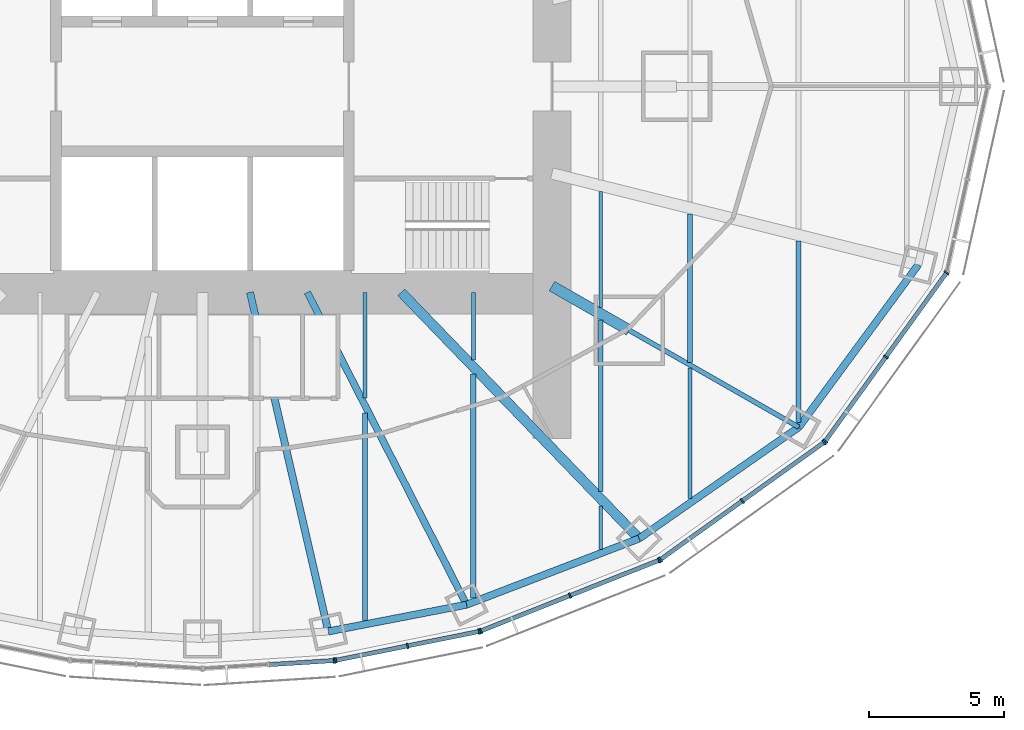
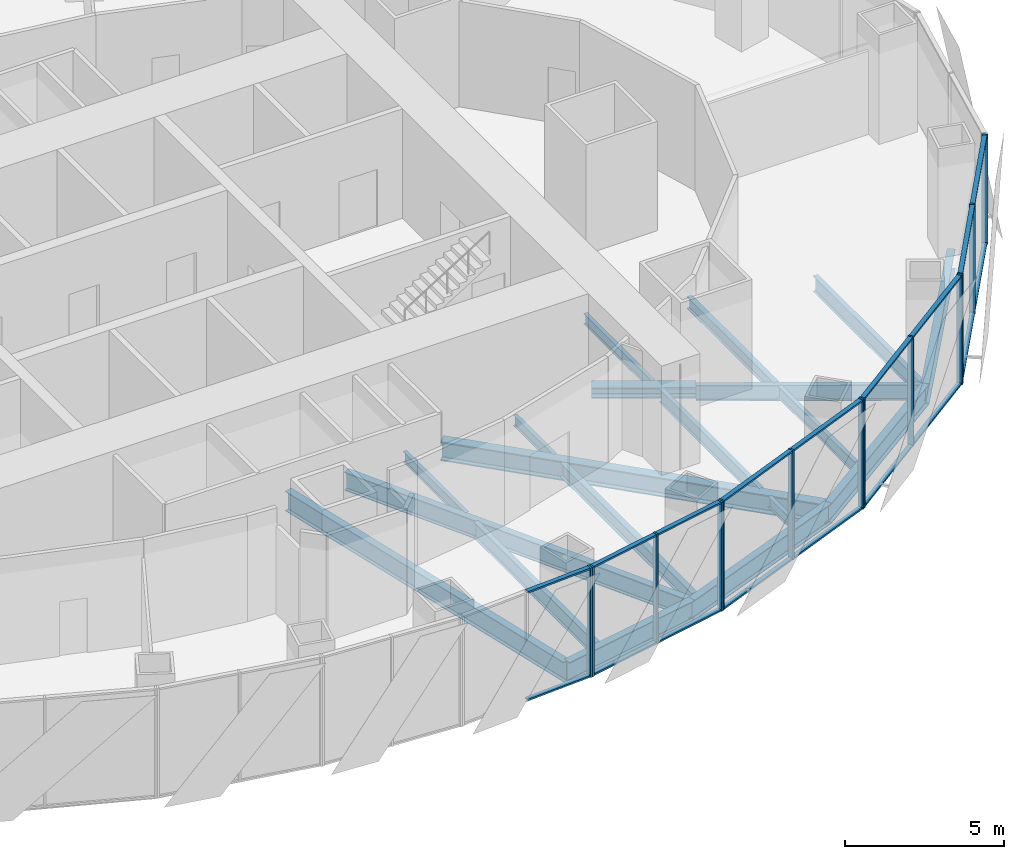
# One storey, part 5 of 18: 31 members, 19 beams, 5 elements without a shape of their own.
"""IFC4 building model written with IfcOpenShell, lengths in metres."""

from ifc_helpers import new_model, si_unit, direction, frame, origin, origin_2d, place, context, subcontext, project, spatial, rectangle, i_section, extrude, material, material_profile, profile_set, type_object, element, aggregate, save


model = new_model("IFC4")

# Units and contexts
model_context = context("Model", 3, precision=1e-05, world=origin(), true_north=direction((0.0, 1.0)))
body_context = subcontext(model_context, "Body", "Model", "MODEL_VIEW")
ifc_project = project(units=[si_unit("LENGTHUNIT", "METRE"), si_unit("AREAUNIT", "SQUARE_METRE"), si_unit("VOLUMEUNIT", "CUBIC_METRE"), si_unit("PLANEANGLEUNIT", "RADIAN"), si_unit("MASSUNIT", "GRAM", prefix="KILO")], contexts=[model_context])

# Site, building, storey
site_placement = place(None, origin())
site = spatial("IfcSite", under=ifc_project, at=site_placement, CompositionType="ELEMENT")
building_placement = place(site_placement, origin())
building = spatial("IfcBuilding", under=site, at=building_placement, Name="Lantaw Convention Tower", CompositionType="ELEMENT")
storey_placement = place(building_placement, frame((0.0, 0.0, 180.39990234375)))
storey = spatial("IfcBuildingStorey", under=building, at=storey_placement, Name="L42", CompositionType="ELEMENT", Elevation=180.39990234375)

# Beams
ifc_material_1 = material(Name="Steel ASTM A992", Category="steel")
ifc_material_profile_1 = material_profile(ifc_material_1, i_section(OverallWidth=0.2666015625, OverallDepth=0.76953125, WebThickness=0.015625, FlangeThickness=0.025390625, FilletRadius=0.0126953125, at=origin_2d()), Name="W30X132")
ifc_profile_set_1 = profile_set([ifc_material_profile_1], Name="Steel ASTM A992")
beam_type_1 = type_object("IfcBeamType", Name="Beam E W30X132", PredefinedType="SPANDREL", material=ifc_profile_set_1)
beam_1_placement = place(storey_placement, frame((4.64501953125, -20.1201171875, -0.53466796875), z_axis=(0.981796805654, 0.189934284446, 0.0), x_axis=(-0.189934284446, 0.981796805654, 0.0)))
element("IfcBeam", 1, at=beam_1_placement, inside=storey, type_object=beam_type_1, Name="Edge beam 20", PredefinedType="SPANDREL", context=body_context, shape_type="SweptSolid", body=[
    extrude(i_section(OverallWidth=0.2666015625, OverallDepth=0.76953125, WebThickness=0.015625, FlangeThickness=0.025390625, FilletRadius=0.0126953125, at=origin_2d()), origin(), (0.0, 0.0, 1.0), 5.1982421875),
])
beam_2_placement = place(storey_placement, frame((9.74853515625, -19.1328125, -0.53466796875), z_axis=(0.933691081977, 0.358079549033, 0.0), x_axis=(-0.358079549033, 0.933691081977, 0.0)))
element("IfcBeam", 2, at=beam_2_placement, inside=storey, type_object=beam_type_1, Name="Edge beam 21", PredefinedType="SPANDREL", context=body_context, shape_type="SweptSolid", body=[
    extrude(i_section(OverallWidth=0.2666015625, OverallDepth=0.76953125, WebThickness=0.015625, FlangeThickness=0.025390625, FilletRadius=0.0126953125, at=origin_2d()), origin(), (0.0, 0.0, 1.0), 6.821533203125),
])
beam_3_placement = place(storey_placement, frame((16.11767578125, -16.690185546875, -0.53466796875), z_axis=(0.820310765287, 0.57191804339, 0.0), x_axis=(-0.57191804339, 0.820310765287, 0.0)))
element("IfcBeam", 3, at=beam_3_placement, inside=storey, type_object=beam_type_1, Name="Edge beam 22", PredefinedType="SPANDREL", context=body_context, shape_type="SweptSolid", body=[
    extrude(i_section(OverallWidth=0.2666015625, OverallDepth=0.76953125, WebThickness=0.015625, FlangeThickness=0.025390625, FilletRadius=0.0126953125, at=origin_2d()), origin(), (0.0, 0.0, 1.0), 7.187744140625),
])
beam_4_placement = place(storey_placement, frame((22.013916015625, -12.579345703125, -0.53466796875), z_axis=(0.5923891972, 0.805651934176, 0.0), x_axis=(-0.805651934176, 0.5923891972, 0.0)))
element("IfcBeam", 4, at=beam_4_placement, inside=storey, type_object=beam_type_1, Name="Edge beam 23", PredefinedType="SPANDREL", context=body_context, shape_type="SweptSolid", body=[
    extrude(i_section(OverallWidth=0.2666015625, OverallDepth=0.76953125, WebThickness=0.015625, FlangeThickness=0.025390625, FilletRadius=0.0126953125, at=origin_2d()), origin(), (0.0, 0.0, 1.0), 7.437744140625),
])
ifc_material_profile_2 = material_profile(ifc_material_1, i_section(OverallWidth=0.177978515625, OverallDepth=0.599365234375, WebThickness=0.010009765625, FlangeThickness=0.012939453125, FilletRadius=0.012939453125, at=origin_2d()), Name="W24X55")
ifc_profile_set_2 = profile_set([ifc_material_profile_2], Name="Steel ASTM A992")
beam_type_2 = type_object("IfcBeamType", Name="Beam G W24X55", PredefinedType="BEAM", material=ifc_profile_set_2)
beam_5_placement = place(storey_placement, frame((15.75, -9.0, -0.44970703125), z_axis=(0.868245224608, -0.496135293993, 0.0), x_axis=(0.496135293993, 0.868245224608, 0.0)))
element("IfcBeam", 5, at=beam_5_placement, inside=storey, type_object=beam_type_2, Name="Floor girder on ray 23", PredefinedType="BEAM", context=body_context, shape_type="SweptSolid", body=[
    extrude(i_section(OverallWidth=0.177978515625, OverallDepth=0.599365234375, WebThickness=0.010009765625, FlangeThickness=0.012939453125, FilletRadius=0.012939453125, at=origin_2d()), origin(), (0.0, 0.0, 1.0), 7.21435546875),
])
ifc_material_profile_3 = material_profile(ifc_material_1, i_section(OverallWidth=0.25390625, OverallDepth=0.700927734375, WebThickness=0.015380859375, FlangeThickness=0.02783203125, FilletRadius=0.01513671875, at=origin_2d()), Name="W27X129")
ifc_profile_set_3 = profile_set([ifc_material_profile_3], Name="Steel ASTM A992")
beam_type_3 = type_object("IfcBeamType", Name="Beam G W27X129", PredefinedType="BEAM", material=ifc_profile_set_3)
beam_6_placement = place(storey_placement, frame((3.872314453125, -7.60009765625, -0.50048828125), z_axis=(0.453991051051, -0.891006243281, 0.0), x_axis=(0.891006243281, 0.453991051051, 0.0)))
element("IfcBeam", 6, at=beam_6_placement, inside=storey, type_object=beam_type_3, Name="Floor girder on ray 21", PredefinedType="BEAM", context=body_context, shape_type="SweptSolid", body=[
    extrude(i_section(OverallWidth=0.25390625, OverallDepth=0.700927734375, WebThickness=0.015380859375, FlangeThickness=0.02783203125, FilletRadius=0.01513671875, at=origin_2d()), origin(), (0.0, 0.0, 1.0), 12.943359375),
])
ifc_material_profile_4 = material_profile(ifc_material_1, i_section(OverallWidth=0.360595703125, OverallDepth=0.72900390625, WebThickness=0.023193359375, FlangeThickness=0.041015625, FilletRadius=0.0126953125, at=origin_2d()), Name="W27X235")
ifc_profile_set_4 = profile_set([ifc_material_profile_4], Name="Steel ASTM A992")
beam_type_4 = type_object("IfcBeamType", Name="Beam G W27X235", PredefinedType="BEAM", material=ifc_profile_set_4)
beam_7_placement = place(storey_placement, frame((7.33935546875, -7.60009765625, -0.514404296875), z_axis=(0.694663467407, -0.719334878239, 0.0), x_axis=(0.719334878239, 0.694663467407, 0.0)))
element("IfcBeam", 7, at=beam_7_placement, inside=storey, type_object=beam_type_4, Name="Floor girder on ray 22", PredefinedType="BEAM", context=body_context, shape_type="SweptSolid", body=[
    extrude(i_section(OverallWidth=0.360595703125, OverallDepth=0.72900390625, WebThickness=0.023193359375, FlangeThickness=0.041015625, FilletRadius=0.0126953125, at=origin_2d()), origin(), (0.0, 0.0, 1.0), 12.63671875),
])
ifc_material_profile_5 = material_profile(ifc_material_1, i_section(OverallWidth=0.2666015625, OverallDepth=0.7568359375, WebThickness=0.013916015625, FlangeThickness=0.019287109375, FilletRadius=0.0126953125, at=origin_2d()), Name="W30X108")
ifc_profile_set_5 = profile_set([ifc_material_profile_5], Name="Steel ASTM A992")
beam_type_5 = type_object("IfcBeamType", Name="Beam G W30X108", PredefinedType="BEAM", material=ifc_profile_set_5)
beam_8_placement = place(storey_placement, frame((1.754638671875, -7.60009765625, -0.5283203125), z_axis=(0.224944153104, -0.974371658036, 0.0), x_axis=(0.974371658036, 0.224944153104, 0.0)))
element("IfcBeam", 8, at=beam_8_placement, inside=storey, type_object=beam_type_5, Name="Floor girder on ray 20", PredefinedType="BEAM", context=body_context, shape_type="SweptSolid", body=[
    extrude(i_section(OverallWidth=0.2666015625, OverallDepth=0.7568359375, WebThickness=0.013916015625, FlangeThickness=0.019287109375, FilletRadius=0.0126953125, at=origin_2d()), origin(), (0.0, 0.0, 1.0), 12.849365234375),
])
ifc_material_profile_6 = material_profile(ifc_material_1, i_section(OverallWidth=0.40380859375, OverallDepth=0.406494140625, WebThickness=0.027099609375, FlangeThickness=0.043701171875, FilletRadius=0.01513671875, at=origin_2d()), Name="W14X233")
ifc_profile_set_6 = profile_set([ifc_material_profile_6], Name="Steel ASTM A992")
beam_type_6 = type_object("IfcBeamType", Name="Beam GM W14X233", PredefinedType="BEAM", material=ifc_profile_set_6)
beam_9_placement = place(storey_placement, frame((12.89990234375, -7.371337890625, -0.35302734375), z_axis=(0.868238565244, -0.496146947811, 0.0), x_axis=(0.496146947811, 0.868238565244, 0.0)))
element("IfcBeam", 9, at=beam_9_placement, inside=storey, type_object=beam_type_6, Name="Core link beam on ray 23", PredefinedType="BEAM", context=body_context, shape_type="SweptSolid", body=[
    extrude(i_section(OverallWidth=0.40380859375, OverallDepth=0.406494140625, WebThickness=0.027099609375, FlangeThickness=0.043701171875, FilletRadius=0.01513671875, at=origin_2d()), origin(), (0.0, 0.0, 1.0), 3.28271484375),
])
ifc_material_profile_7 = material_profile(ifc_material_1, i_section(OverallWidth=0.140380859375, OverallDepth=0.40380859375, WebThickness=0.007080078125, FlangeThickness=0.01123046875, FilletRadius=0.01025390625, at=origin_2d()), Name="W16X31")
ifc_profile_set_7 = profile_set([ifc_material_profile_7], Name="Steel ASTM A992")
beam_type_7 = type_object("IfcBeamType", Name="Beam J W16X31", PredefinedType="JOIST", material=ifc_profile_set_7)
beam_10_placement = place(storey_placement, frame((6.0, -11.495849609375, -0.351806640625), z_axis=(0.0, 1.0, 0.0), x_axis=(-1.0, 0.0, 0.0)))
element("IfcBeam", 10, at=beam_10_placement, inside=storey, type_object=beam_type_7, Name="Floor joist", PredefinedType="JOIST", context=body_context, shape_type="SweptSolid", body=[
    extrude(i_section(OverallWidth=0.140380859375, OverallDepth=0.40380859375, WebThickness=0.007080078125, FlangeThickness=0.01123046875, FilletRadius=0.01025390625, at=origin_2d()), origin(), (0.0, 0.0, 1.0), 3.895751953125),
])
beam_11_placement = place(storey_placement, frame((10.0, -10.095703125, -0.351806640625), z_axis=(0.0, 1.0, 0.0), x_axis=(-1.0, 0.0, 0.0)))
element("IfcBeam", 11, at=beam_11_placement, inside=storey, type_object=beam_type_7, Name="Floor joist", PredefinedType="JOIST", context=body_context, shape_type="SweptSolid", body=[
    extrude(i_section(OverallWidth=0.140380859375, OverallDepth=0.40380859375, WebThickness=0.007080078125, FlangeThickness=0.01123046875, FilletRadius=0.01025390625, at=origin_2d()), origin(), (0.0, 0.0, 1.0), 2.49560546875),
])
beam_12_placement = place(storey_placement, frame((14.699951171875, -17.091064453125, -0.351806640625), z_axis=(0.0, 1.0, 0.0), x_axis=(-1.0, 0.0, 0.0)))
element("IfcBeam", 12, at=beam_12_placement, inside=storey, type_object=beam_type_7, Name="Floor joist", PredefinedType="JOIST", context=body_context, shape_type="SweptSolid", body=[
    extrude(i_section(OverallWidth=0.140380859375, OverallDepth=0.40380859375, WebThickness=0.007080078125, FlangeThickness=0.01123046875, FilletRadius=0.01025390625, at=origin_2d()), origin(), (0.0, 0.0, 1.0), 1.609130859375),
])
beam_13_placement = place(storey_placement, frame((14.699951171875, -8.16748046875, -0.351806640625), z_axis=(0.0, 1.0, 0.0), x_axis=(-1.0, 0.0, 0.0)))
element("IfcBeam", 13, at=beam_13_placement, inside=storey, type_object=beam_type_7, Name="Floor joist", PredefinedType="JOIST", context=body_context, shape_type="SweptSolid", body=[
    extrude(i_section(OverallWidth=0.140380859375, OverallDepth=0.40380859375, WebThickness=0.007080078125, FlangeThickness=0.01123046875, FilletRadius=0.01025390625, at=origin_2d()), origin(), (0.0, 0.0, 1.0), 4.28515625),
])
ifc_material_profile_8 = material_profile(ifc_material_1, i_section(OverallWidth=0.15234375, OverallDepth=0.449462890625, WebThickness=0.007568359375, FlangeThickness=0.0107421875, FilletRadius=0.01025390625, at=origin_2d()), Name="W18X35")
ifc_profile_set_8 = profile_set([ifc_material_profile_8], Name="Steel ASTM A992")
beam_type_8 = type_object("IfcBeamType", Name="Beam J W18X35", PredefinedType="JOIST", material=ifc_profile_set_8)
beam_14_placement = place(storey_placement, frame((18.0, -15.21533203125, -0.374755859375), z_axis=(0.0, 1.0, 0.0), x_axis=(-1.0, 0.0, 0.0)))
element("IfcBeam", 14, at=beam_14_placement, inside=storey, type_object=beam_type_8, Name="Floor joist", PredefinedType="JOIST", context=body_context, shape_type="SweptSolid", body=[
    extrude(i_section(OverallWidth=0.15234375, OverallDepth=0.449462890625, WebThickness=0.007568359375, FlangeThickness=0.0107421875, FilletRadius=0.01025390625, at=origin_2d()), origin(), (0.0, 0.0, 1.0), 4.8271484375),
])
ifc_material_profile_9 = material_profile(ifc_material_1, i_section(OverallWidth=0.1904296875, OverallDepth=0.457275390625, WebThickness=0.009033203125, FlangeThickness=0.014404296875, FilletRadius=0.01025390625, at=origin_2d()), Name="W18X50")
ifc_profile_set_9 = profile_set([ifc_material_profile_9], Name="Steel ASTM A992")
beam_type_9 = type_object("IfcBeamType", Name="Beam J W18X50", PredefinedType="JOIST", material=ifc_profile_set_9)
beam_15_placement = place(storey_placement, frame((18.0, -10.18310546875, -0.37841796875), z_axis=(0.0, 1.0, 0.0), x_axis=(-1.0, 0.0, 0.0)))
element("IfcBeam", 15, at=beam_15_placement, inside=storey, type_object=beam_type_9, Name="Floor joist", PredefinedType="JOIST", context=body_context, shape_type="SweptSolid", body=[
    extrude(i_section(OverallWidth=0.1904296875, OverallDepth=0.457275390625, WebThickness=0.009033203125, FlangeThickness=0.014404296875, FilletRadius=0.01025390625, at=origin_2d()), origin(), (0.0, 0.0, 1.0), 5.47802734375),
])
ifc_material_profile_10 = material_profile(ifc_material_1, i_section(OverallWidth=0.1650390625, OverallDepth=0.52587890625, WebThickness=0.0087890625, FlangeThickness=0.011474609375, FilletRadius=0.0126953125, at=origin_2d()), Name="W21X44")
ifc_profile_set_10 = profile_set([ifc_material_profile_10], Name="Steel ASTM A992")
beam_type_10 = type_object("IfcBeamType", Name="Beam J W21X44", PredefinedType="JOIST", material=ifc_profile_set_10)
beam_16_placement = place(storey_placement, frame((14.699951171875, -14.962646484375, -0.412841796875), z_axis=(0.0, 1.0, 0.0), x_axis=(-1.0, 0.0, 0.0)))
element("IfcBeam", 16, at=beam_16_placement, inside=storey, type_object=beam_type_10, Name="Floor joist", PredefinedType="JOIST", context=body_context, shape_type="SweptSolid", body=[
    extrude(i_section(OverallWidth=0.1650390625, OverallDepth=0.52587890625, WebThickness=0.0087890625, FlangeThickness=0.011474609375, FilletRadius=0.0126953125, at=origin_2d()), origin(), (0.0, 0.0, 1.0), 6.330078125),
])
ifc_material_profile_11 = material_profile(ifc_material_1, i_section(OverallWidth=0.2099609375, OverallDepth=0.535888671875, WebThickness=0.010986328125, FlangeThickness=0.017333984375, FilletRadius=0.012939453125, at=origin_2d()), Name="W21X68")
ifc_profile_set_11 = profile_set([ifc_material_profile_11], Name="Steel ASTM A992")
beam_type_11 = type_object("IfcBeamType", Name="Beam J W21X68", PredefinedType="JOIST", material=ifc_profile_set_11)
beam_17_placement = place(storey_placement, frame((10.0, -18.8935546875, -0.41796875), z_axis=(0.0, 1.0, 0.0), x_axis=(-1.0, 0.0, 0.0)))
element("IfcBeam", 17, at=beam_17_placement, inside=storey, type_object=beam_type_11, Name="Floor joist", PredefinedType="JOIST", context=body_context, shape_type="SweptSolid", body=[
    extrude(i_section(OverallWidth=0.2099609375, OverallDepth=0.535888671875, WebThickness=0.010986328125, FlangeThickness=0.017333984375, FilletRadius=0.012939453125, at=origin_2d()), origin(), (0.0, 0.0, 1.0), 8.278564453125),
])
ifc_material_profile_12 = material_profile(ifc_material_1, i_section(OverallWidth=0.177978515625, OverallDepth=0.599365234375, WebThickness=0.010009765625, FlangeThickness=0.012939453125, FilletRadius=0.012939453125, at=origin_2d()), Name="W24X55")
ifc_profile_set_12 = profile_set([ifc_material_profile_12], Name="Steel ASTM A992")
beam_type_12 = type_object("IfcBeamType", Name="Beam J W24X55", PredefinedType="JOIST", material=ifc_profile_set_12)
beam_18_placement = place(storey_placement, frame((6.0, -19.72216796875, -0.44970703125), z_axis=(0.0, 1.0, 0.0), x_axis=(-1.0, 0.0, 0.0)))
element("IfcBeam", 18, at=beam_18_placement, inside=storey, type_object=beam_type_12, Name="Floor joist", PredefinedType="JOIST", context=body_context, shape_type="SweptSolid", body=[
    extrude(i_section(OverallWidth=0.177978515625, OverallDepth=0.599365234375, WebThickness=0.010009765625, FlangeThickness=0.012939453125, FilletRadius=0.012939453125, at=origin_2d()), origin(), (0.0, 0.0, 1.0), 7.666748046875),
])
beam_19_placement = place(storey_placement, frame((22.0, -12.408935546875, -0.44970703125), z_axis=(0.0, 1.0, 0.0), x_axis=(-1.0, 0.0, 0.0)))
element("IfcBeam", 19, at=beam_19_placement, inside=storey, type_object=beam_type_12, Name="Floor joist", PredefinedType="JOIST", context=body_context, shape_type="SweptSolid", body=[
    extrude(i_section(OverallWidth=0.177978515625, OverallDepth=0.599365234375, WebThickness=0.010009765625, FlangeThickness=0.012939453125, FilletRadius=0.012939453125, at=origin_2d()), origin(), (0.0, 0.0, 1.0), 6.70654296875),
])

# Curtain wall, member
ifc_material_2 = material(Name="Aluminium framed curtain wall", Category="aluminium")
curtain_wall_type = type_object("IfcCurtainWallType", Name="Office curtain wall low rise, pale aluminium", PredefinedType="USERDEFINED", material=ifc_material_2)
curtain_wall_1_placement = place(storey_placement, origin())
curtain_wall_1 = element("IfcCurtainWall", 20, at=curtain_wall_1_placement, inside=storey, type_object=curtain_wall_type, Name="Office curtain wall low rise, pale aluminium L42", ObjectType="UNITISED CURTAIN WALL", PredefinedType="USERDEFINED")
ifc_material_3 = material(Name="Aluminium 6063-T6", Category="aluminium")
ifc_material_profile_13 = material_profile(ifc_material_3, rectangle(XDim=0.199951171875, YDim=0.06494140625, at=origin_2d()), Name="CW-O1 mullion 65x200")
ifc_profile_set_13 = profile_set([ifc_material_profile_13], Name="Aluminium 6063-T6")
member_type_1 = type_object("IfcMemberType", Name="CW-O1 mullion 65x200", PredefinedType="MULLION", material=ifc_profile_set_13)
member_1_placement = place(storey_placement, frame((4.860107421875, -21.19384765625, -0.14990234375), z_axis=(0.0, 0.0, 1.0), x_axis=(-0.062865059466, 0.998022035978, 0.0)))
member_1 = element("IfcMember", 21, at=member_1_placement, type_object=member_type_1, Name="CW-O1 mullion 3", PredefinedType="MULLION", context=body_context, shape_type="SweptSolid", body=[
    extrude(rectangle(XDim=0.199951171875, YDim=0.06494140625, at=origin_2d()), origin(), (0.0, 0.0, 1.0), 4.199951171875),
])

# Curtain wall, members
curtain_wall_2_placement = place(storey_placement, origin())
curtain_wall_2 = element("IfcCurtainWall", 22, at=curtain_wall_2_placement, inside=storey, type_object=curtain_wall_type, Name="Office curtain wall low rise, pale aluminium L42", ObjectType="UNITISED CURTAIN WALL", PredefinedType="USERDEFINED")
member_2_placement = place(storey_placement, frame((4.92431640625, -21.185302734375, -0.14990234375), z_axis=(0.0, 0.0, 1.0), x_axis=(-0.197506809659, 0.980301514912, 0.0)))
member_2 = element("IfcMember", 23, at=member_2_placement, type_object=member_type_1, Name="CW-O1 mullion 1", PredefinedType="MULLION", context=body_context, shape_type="SweptSolid", body=[
    extrude(rectangle(XDim=0.199951171875, YDim=0.06494140625, at=origin_2d()), origin(), (0.0, 0.0, 1.0), 4.199951171875),
])
member_3_placement = place(storey_placement, frame((7.5703125, -20.65234375, -0.14990234375), z_axis=(0.0, 0.0, 1.0), x_axis=(-0.197506809659, 0.980301514912, 0.0)))
member_3 = element("IfcMember", 24, at=member_3_placement, type_object=member_type_1, Name="CW-O1 mullion 2", PredefinedType="MULLION", context=body_context, shape_type="SweptSolid", body=[
    extrude(rectangle(XDim=0.199951171875, YDim=0.06494140625, at=origin_2d()), origin(), (0.0, 0.0, 1.0), 4.199951171875),
])
member_4_placement = place(storey_placement, frame((10.216064453125, -20.119140625, -0.14990234375), z_axis=(0.0, 0.0, 1.0), x_axis=(-0.197506809659, 0.980301514912, 0.0)))
member_4 = element("IfcMember", 25, at=member_4_placement, type_object=member_type_1, Name="CW-O1 mullion 3", PredefinedType="MULLION", context=body_context, shape_type="SweptSolid", body=[
    extrude(rectangle(XDim=0.199951171875, YDim=0.06494140625, at=origin_2d()), origin(), (0.0, 0.0, 1.0), 4.199951171875),
])

curtain_wall_3_placement = place(storey_placement, origin())
curtain_wall_3 = element("IfcCurtainWall", 26, at=curtain_wall_3_placement, inside=storey, type_object=curtain_wall_type, Name="Office curtain wall low rise, pale aluminium L42", ObjectType="UNITISED CURTAIN WALL", PredefinedType="USERDEFINED")
member_5_placement = place(storey_placement, frame((10.2783203125, -20.100830078125, -0.14990234375), z_axis=(0.0, 0.0, 1.0), x_axis=(-0.368701907483, 0.929547687544, 0.0)))
member_5 = element("IfcMember", 27, at=member_5_placement, type_object=member_type_1, Name="CW-O1 mullion 1", PredefinedType="MULLION", context=body_context, shape_type="SweptSolid", body=[
    extrude(rectangle(XDim=0.199951171875, YDim=0.06494140625, at=origin_2d()), origin(), (0.0, 0.0, 1.0), 4.199951171875),
])
member_6_placement = place(storey_placement, frame((13.56494140625, -18.797119140625, -0.14990234375), z_axis=(0.0, 0.0, 1.0), x_axis=(-0.368701907483, 0.929547687544, 0.0)))
member_6 = element("IfcMember", 28, at=member_6_placement, type_object=member_type_1, Name="CW-O1 mullion 2", PredefinedType="MULLION", context=body_context, shape_type="SweptSolid", body=[
    extrude(rectangle(XDim=0.199951171875, YDim=0.06494140625, at=origin_2d()), origin(), (0.0, 0.0, 1.0), 4.199951171875),
])
member_7_placement = place(storey_placement, frame((16.8515625, -17.49365234375, -0.14990234375), z_axis=(0.0, 0.0, 1.0), x_axis=(-0.368701907483, 0.929547687544, 0.0)))
member_7 = element("IfcMember", 29, at=member_7_placement, type_object=member_type_1, Name="CW-O1 mullion 3", PredefinedType="MULLION", context=body_context, shape_type="SweptSolid", body=[
    extrude(rectangle(XDim=0.199951171875, YDim=0.06494140625, at=origin_2d()), origin(), (0.0, 0.0, 1.0), 4.199951171875),
])

curtain_wall_4_placement = place(storey_placement, origin())
curtain_wall_4 = element("IfcCurtainWall", 30, at=curtain_wall_4_placement, inside=storey, type_object=curtain_wall_type, Name="Office curtain wall low rise, pale aluminium L42", ObjectType="UNITISED CURTAIN WALL", PredefinedType="USERDEFINED")
member_8_placement = place(storey_placement, frame((16.908203125, -17.462646484375, -0.14990234375), z_axis=(0.0, 0.0, 1.0), x_axis=(-0.581972695693, 0.813208325995, 0.0)))
member_8 = element("IfcMember", 31, at=member_8_placement, type_object=member_type_1, Name="CW-O1 mullion 1", PredefinedType="MULLION", context=body_context, shape_type="SweptSolid", body=[
    extrude(rectangle(XDim=0.199951171875, YDim=0.06494140625, at=origin_2d()), origin(), (0.0, 0.0, 1.0), 4.199951171875),
])
member_9_placement = place(storey_placement, frame((19.92529296875, -15.303466796875, -0.14990234375), z_axis=(0.0, 0.0, 1.0), x_axis=(-0.581972695693, 0.813208325995, 0.0)))
member_9 = element("IfcMember", 32, at=member_9_placement, type_object=member_type_1, Name="CW-O1 mullion 2", PredefinedType="MULLION", context=body_context, shape_type="SweptSolid", body=[
    extrude(rectangle(XDim=0.199951171875, YDim=0.06494140625, at=origin_2d()), origin(), (0.0, 0.0, 1.0), 4.199951171875),
])
member_10_placement = place(storey_placement, frame((22.942626953125, -13.14404296875, -0.14990234375), z_axis=(0.0, 0.0, 1.0), x_axis=(-0.581972695693, 0.813208325995, 0.0)))
member_10 = element("IfcMember", 33, at=member_10_placement, type_object=member_type_1, Name="CW-O1 mullion 3", PredefinedType="MULLION", context=body_context, shape_type="SweptSolid", body=[
    extrude(rectangle(XDim=0.199951171875, YDim=0.06494140625, at=origin_2d()), origin(), (0.0, 0.0, 1.0), 4.199951171875),
])

curtain_wall_5_placement = place(storey_placement, origin())
curtain_wall_5 = element("IfcCurtainWall", 34, at=curtain_wall_5_placement, inside=storey, type_object=curtain_wall_type, Name="Office curtain wall low rise, pale aluminium L42", ObjectType="UNITISED CURTAIN WALL", PredefinedType="USERDEFINED")
member_11_placement = place(storey_placement, frame((22.988037109375, -13.098876953125, -0.14990234375), z_axis=(0.0, 0.0, 1.0), x_axis=(-0.811384633629, 0.584512597221, 0.0)))
member_11 = element("IfcMember", 35, at=member_11_placement, type_object=member_type_1, Name="CW-O1 mullion 1", PredefinedType="MULLION", context=body_context, shape_type="SweptSolid", body=[
    extrude(rectangle(XDim=0.199951171875, YDim=0.06494140625, at=origin_2d()), origin(), (0.0, 0.0, 1.0), 4.199951171875),
])
member_12_placement = place(storey_placement, frame((25.22802734375, -9.9892578125, -0.14990234375), z_axis=(0.0, 0.0, 1.0), x_axis=(-0.811384633629, 0.584512597221, 0.0)))
member_12 = element("IfcMember", 36, at=member_12_placement, type_object=member_type_1, Name="CW-O1 mullion 2", PredefinedType="MULLION", context=body_context, shape_type="SweptSolid", body=[
    extrude(rectangle(XDim=0.199951171875, YDim=0.06494140625, at=origin_2d()), origin(), (0.0, 0.0, 1.0), 4.199951171875),
])
member_13_placement = place(storey_placement, frame((27.46826171875, -6.879638671875, -0.14990234375), z_axis=(0.0, 0.0, 1.0), x_axis=(-0.811384633629, 0.584512597221, 0.0)))
member_13 = element("IfcMember", 37, at=member_13_placement, type_object=member_type_1, Name="CW-O1 mullion 3", PredefinedType="MULLION", context=body_context, shape_type="SweptSolid", body=[
    extrude(rectangle(XDim=0.199951171875, YDim=0.06494140625, at=origin_2d()), origin(), (0.0, 0.0, 1.0), 4.199951171875),
])

# Member
ifc_material_profile_14 = material_profile(ifc_material_3, rectangle(XDim=0.159912109375, YDim=0.06494140625, at=origin_2d()), Name="CW-O1 transom 65x160")
ifc_profile_set_14 = profile_set([ifc_material_profile_14], Name="Aluminium 6063-T6")
member_type_2 = type_object("IfcMemberType", Name="CW-O1 transom 65x160", PredefinedType="USERDEFINED", material=ifc_profile_set_14)
member_14_placement = place(storey_placement, frame((2.478759765625, -21.34375, -0.117431640625), z_axis=(0.998022188463, 0.062862638625, 0.0), x_axis=(-0.062862638625, 0.998022188463, 0.0)))
member_14 = element("IfcMember", 38, at=member_14_placement, type_object=member_type_2, Name="CW-O1 transom 2.1", ObjectType="TRANSOM", PredefinedType="USERDEFINED", context=body_context, shape_type="SweptSolid", body=[
    extrude(rectangle(XDim=0.159912109375, YDim=0.06494140625, at=origin_2d()), origin(), (0.0, 0.0, 1.0), 2.353515625),
])

member_15_placement = place(storey_placement, frame((2.478759765625, -21.34375, 4.017578125), z_axis=(0.998022188463, 0.062862638625, 0.0), x_axis=(-0.062862638625, 0.998022188463, 0.0)))
member_15 = element("IfcMember", 39, at=member_15_placement, type_object=member_type_2, Name="CW-O1 transom 2.2", ObjectType="TRANSOM", PredefinedType="USERDEFINED", context=body_context, shape_type="SweptSolid", body=[
    extrude(rectangle(XDim=0.159912109375, YDim=0.06494140625, at=origin_2d()), origin(), (0.0, 0.0, 1.0), 2.353515625),
])

aggregate(curtain_wall_1, [member_1, member_14, member_15])

member_16_placement = place(storey_placement, frame((4.956298828125, -21.178955078125, -0.117431640625), z_axis=(0.980298027092, 0.197524120247, 0.0), x_axis=(-0.197524120247, 0.980298027092, 0.0)))
member_16 = element("IfcMember", 40, at=member_16_placement, type_object=member_type_2, Name="CW-O1 transom 1.1", ObjectType="TRANSOM", PredefinedType="USERDEFINED", context=body_context, shape_type="SweptSolid", body=[
    extrude(rectangle(XDim=0.159912109375, YDim=0.06494140625, at=origin_2d()), origin(), (0.0, 0.0, 1.0), 2.634033203125),
])

member_17_placement = place(storey_placement, frame((4.956298828125, -21.178955078125, 4.017578125), z_axis=(0.980298027092, 0.197524120247, 0.0), x_axis=(-0.197524120247, 0.980298027092, 0.0)))
member_17 = element("IfcMember", 41, at=member_17_placement, type_object=member_type_2, Name="CW-O1 transom 1.2", ObjectType="TRANSOM", PredefinedType="USERDEFINED", context=body_context, shape_type="SweptSolid", body=[
    extrude(rectangle(XDim=0.159912109375, YDim=0.06494140625, at=origin_2d()), origin(), (0.0, 0.0, 1.0), 2.634033203125),
])

member_18_placement = place(storey_placement, frame((7.60205078125, -20.64599609375, -0.117431640625), z_axis=(0.980301643003, 0.197506173891, 0.0), x_axis=(-0.197506173891, 0.980301643003, 0.0)))
member_18 = element("IfcMember", 42, at=member_18_placement, type_object=member_type_2, Name="CW-O1 transom 2.1", ObjectType="TRANSOM", PredefinedType="USERDEFINED", context=body_context, shape_type="SweptSolid", body=[
    extrude(rectangle(XDim=0.159912109375, YDim=0.06494140625, at=origin_2d()), origin(), (0.0, 0.0, 1.0), 2.63427734375),
])

member_19_placement = place(storey_placement, frame((7.60205078125, -20.64599609375, 4.017578125), z_axis=(0.980301643003, 0.197506173891, 0.0), x_axis=(-0.197506173891, 0.980301643003, 0.0)))
member_19 = element("IfcMember", 43, at=member_19_placement, type_object=member_type_2, Name="CW-O1 transom 2.2", ObjectType="TRANSOM", PredefinedType="USERDEFINED", context=body_context, shape_type="SweptSolid", body=[
    extrude(rectangle(XDim=0.159912109375, YDim=0.06494140625, at=origin_2d()), origin(), (0.0, 0.0, 1.0), 2.63427734375),
])

aggregate(curtain_wall_2, [member_2, member_3, member_4, member_16, member_17, member_18, member_19])

member_20_placement = place(storey_placement, frame((10.308349609375, -20.0888671875, -0.117431640625), z_axis=(0.929540081544, 0.368721082668, 0.0), x_axis=(-0.368721082668, 0.929540081544, 0.0)))
member_20 = element("IfcMember", 44, at=member_20_placement, type_object=member_type_2, Name="CW-O1 transom 1.1", ObjectType="TRANSOM", PredefinedType="USERDEFINED", context=body_context, shape_type="SweptSolid", body=[
    extrude(rectangle(XDim=0.159912109375, YDim=0.06494140625, at=origin_2d()), origin(), (0.0, 0.0, 1.0), 3.470947265625),
])

member_21_placement = place(storey_placement, frame((10.308349609375, -20.0888671875, 4.017578125), z_axis=(0.929540081544, 0.368721082668, 0.0), x_axis=(-0.368721082668, 0.929540081544, 0.0)))
member_21 = element("IfcMember", 45, at=member_21_placement, type_object=member_type_2, Name="CW-O1 transom 1.2", ObjectType="TRANSOM", PredefinedType="USERDEFINED", context=body_context, shape_type="SweptSolid", body=[
    extrude(rectangle(XDim=0.159912109375, YDim=0.06494140625, at=origin_2d()), origin(), (0.0, 0.0, 1.0), 3.470947265625),
])

member_22_placement = place(storey_placement, frame((13.594970703125, -18.78515625, -0.117431640625), z_axis=(0.929564188507, 0.368660303592, 0.0), x_axis=(-0.368660303592, 0.929564188507, 0.0)))
member_22 = element("IfcMember", 46, at=member_22_placement, type_object=member_type_2, Name="CW-O1 transom 2.1", ObjectType="TRANSOM", PredefinedType="USERDEFINED", context=body_context, shape_type="SweptSolid", body=[
    extrude(rectangle(XDim=0.159912109375, YDim=0.06494140625, at=origin_2d()), origin(), (0.0, 0.0, 1.0), 3.470703125),
])

member_23_placement = place(storey_placement, frame((13.594970703125, -18.78515625, 4.017578125), z_axis=(0.929564188507, 0.368660303592, 0.0), x_axis=(-0.368660303592, 0.929564188507, 0.0)))
member_23 = element("IfcMember", 47, at=member_23_placement, type_object=member_type_2, Name="CW-O1 transom 2.2", ObjectType="TRANSOM", PredefinedType="USERDEFINED", context=body_context, shape_type="SweptSolid", body=[
    extrude(rectangle(XDim=0.159912109375, YDim=0.06494140625, at=origin_2d()), origin(), (0.0, 0.0, 1.0), 3.470703125),
])

aggregate(curtain_wall_3, [member_5, member_6, member_7, member_20, member_21, member_22, member_23])

member_24_placement = place(storey_placement, frame((16.9345703125, -17.44384765625, -0.117431640625), z_axis=(0.813190089133, 0.581998177777, 0.0), x_axis=(-0.581998177777, 0.813190089133, 0.0)))
member_24 = element("IfcMember", 48, at=member_24_placement, type_object=member_type_2, Name="CW-O1 transom 1.1", ObjectType="TRANSOM", PredefinedType="USERDEFINED", context=body_context, shape_type="SweptSolid", body=[
    extrude(rectangle(XDim=0.159912109375, YDim=0.06494140625, at=origin_2d()), origin(), (0.0, 0.0, 1.0), 3.645263671875),
])

member_25_placement = place(storey_placement, frame((16.9345703125, -17.44384765625, 4.017578125), z_axis=(0.813190089133, 0.581998177777, 0.0), x_axis=(-0.581998177777, 0.813190089133, 0.0)))
member_25 = element("IfcMember", 49, at=member_25_placement, type_object=member_type_2, Name="CW-O1 transom 1.2", ObjectType="TRANSOM", PredefinedType="USERDEFINED", context=body_context, shape_type="SweptSolid", body=[
    extrude(rectangle(XDim=0.159912109375, YDim=0.06494140625, at=origin_2d()), origin(), (0.0, 0.0, 1.0), 3.645263671875),
])

member_26_placement = place(storey_placement, frame((19.951904296875, -15.284423828125, -0.117431640625), z_axis=(0.813221785972, 0.581953887194, 0.0), x_axis=(-0.581953887194, 0.813221785972, 0.0)))
member_26 = element("IfcMember", 50, at=member_26_placement, type_object=member_type_2, Name="CW-O1 transom 2.1", ObjectType="TRANSOM", PredefinedType="USERDEFINED", context=body_context, shape_type="SweptSolid", body=[
    extrude(rectangle(XDim=0.159912109375, YDim=0.06494140625, at=origin_2d()), origin(), (0.0, 0.0, 1.0), 3.645263671875),
])

member_27_placement = place(storey_placement, frame((19.951904296875, -15.284423828125, 4.017578125), z_axis=(0.813221785972, 0.581953887194, 0.0), x_axis=(-0.581953887194, 0.813221785972, 0.0)))
member_27 = element("IfcMember", 51, at=member_27_placement, type_object=member_type_2, Name="CW-O1 transom 2.2", ObjectType="TRANSOM", PredefinedType="USERDEFINED", context=body_context, shape_type="SweptSolid", body=[
    extrude(rectangle(XDim=0.159912109375, YDim=0.06494140625, at=origin_2d()), origin(), (0.0, 0.0, 1.0), 3.645263671875),
])

aggregate(curtain_wall_4, [member_8, member_9, member_10, member_24, member_25, member_26, member_27])

member_28_placement = place(storey_placement, frame((23.007080078125, -13.072509765625, -0.117431640625), z_axis=(0.584512973979, 0.811384362217, 0.0), x_axis=(-0.811384362217, 0.584512973979, 0.0)))
member_28 = element("IfcMember", 52, at=member_28_placement, type_object=member_type_2, Name="CW-O1 transom 1.1", ObjectType="TRANSOM", PredefinedType="USERDEFINED", context=body_context, shape_type="SweptSolid", body=[
    extrude(rectangle(XDim=0.159912109375, YDim=0.06494140625, at=origin_2d()), origin(), (0.0, 0.0, 1.0), 3.767578125),
])

member_29_placement = place(storey_placement, frame((23.007080078125, -13.072509765625, 4.017578125), z_axis=(0.584512973979, 0.811384362217, 0.0), x_axis=(-0.811384362217, 0.584512973979, 0.0)))
member_29 = element("IfcMember", 53, at=member_29_placement, type_object=member_type_2, Name="CW-O1 transom 1.2", ObjectType="TRANSOM", PredefinedType="USERDEFINED", context=body_context, shape_type="SweptSolid", body=[
    extrude(rectangle(XDim=0.159912109375, YDim=0.06494140625, at=origin_2d()), origin(), (0.0, 0.0, 1.0), 3.767578125),
])

member_30_placement = place(storey_placement, frame((25.2470703125, -9.962890625, -0.117431640625), z_axis=(0.584512973979, 0.811384362217, 0.0), x_axis=(-0.811384362217, 0.584512973979, 0.0)))
member_30 = element("IfcMember", 54, at=member_30_placement, type_object=member_type_2, Name="CW-O1 transom 2.1", ObjectType="TRANSOM", PredefinedType="USERDEFINED", context=body_context, shape_type="SweptSolid", body=[
    extrude(rectangle(XDim=0.159912109375, YDim=0.06494140625, at=origin_2d()), origin(), (0.0, 0.0, 1.0), 3.767578125),
])

member_31_placement = place(storey_placement, frame((25.2470703125, -9.962890625, 4.017578125), z_axis=(0.584512973979, 0.811384362217, 0.0), x_axis=(-0.811384362217, 0.584512973979, 0.0)))
member_31 = element("IfcMember", 55, at=member_31_placement, type_object=member_type_2, Name="CW-O1 transom 2.2", ObjectType="TRANSOM", PredefinedType="USERDEFINED", context=body_context, shape_type="SweptSolid", body=[
    extrude(rectangle(XDim=0.159912109375, YDim=0.06494140625, at=origin_2d()), origin(), (0.0, 0.0, 1.0), 3.767578125),
])

aggregate(curtain_wall_5, [member_11, member_12, member_13, member_28, member_29, member_30, member_31])

save(model, "model.ifc")
